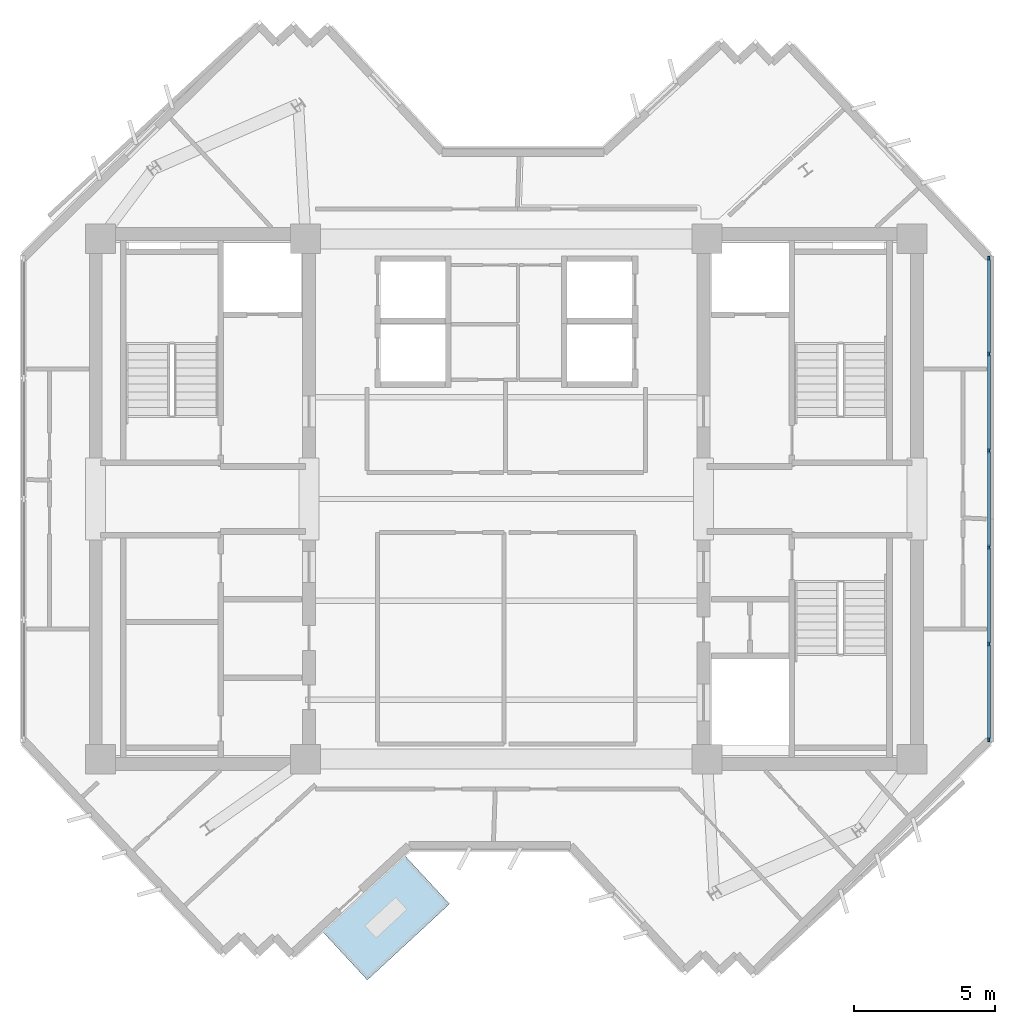
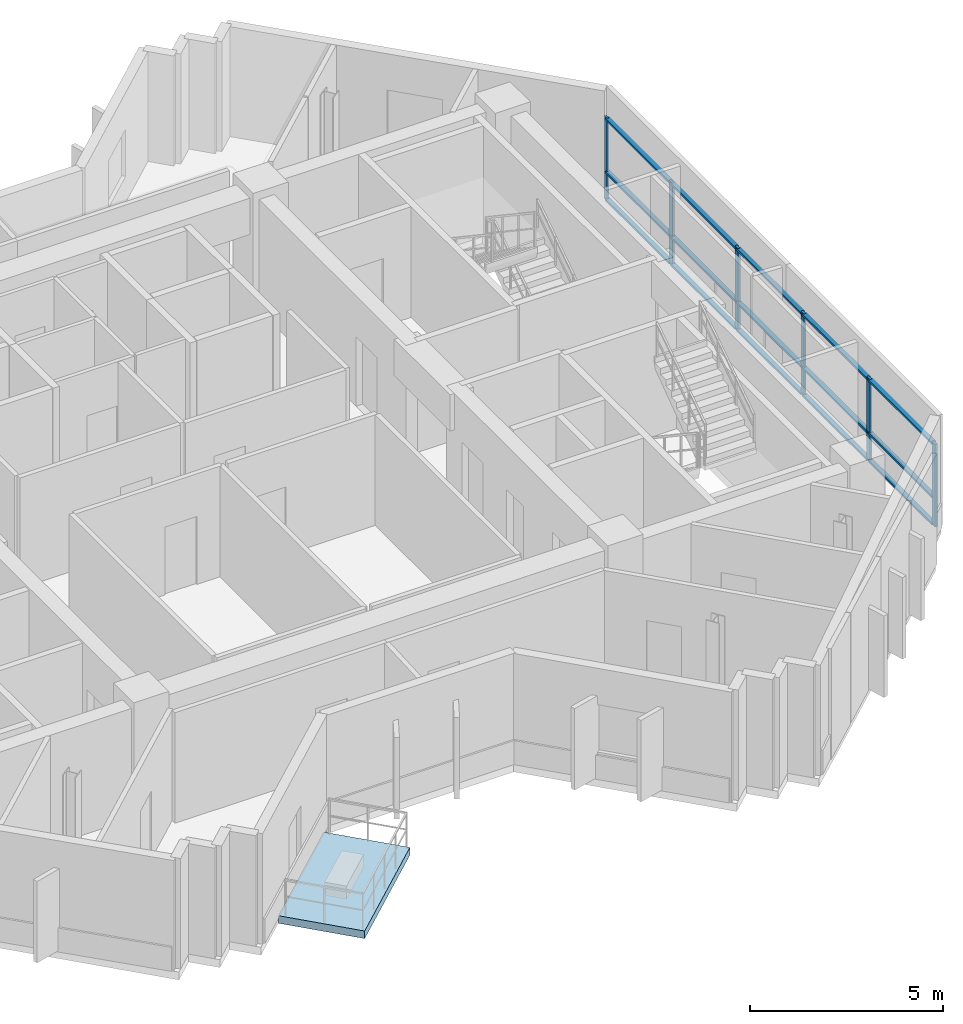
# One storey, part 2 of 9: 21 members, 1 slab, 1 element without a shape of its own.
"""IFC4 building model written with IfcOpenShell, lengths in metres."""

from ifc_helpers import new_model, si_unit, direction, frame, origin, origin_2d, place, context, subcontext, project, spatial, polyline, rectangle, outline, extrude, source, transform, mapped, material, layer, layer_set, material_profile, profile_set, type_object, element, aggregate, save


model = new_model("IFC4")

# Units and contexts
model_context = context("Model", 3, precision=1e-05, world=origin(), true_north=direction((0.0, 1.0)))
body_context = subcontext(model_context, "Body", "Model", "MODEL_VIEW")
ifc_project = project(units=[si_unit("LENGTHUNIT", "METRE"), si_unit("AREAUNIT", "SQUARE_METRE"), si_unit("VOLUMEUNIT", "CUBIC_METRE"), si_unit("PLANEANGLEUNIT", "RADIAN"), si_unit("MASSUNIT", "GRAM", prefix="KILO")], contexts=[model_context])

# Site, building, storey
site_placement = place(None, origin())
site = spatial("IfcSite", under=ifc_project, at=site_placement, CompositionType="ELEMENT")
building_placement = place(site_placement, origin())
building = spatial("IfcBuilding", under=site, at=building_placement, Name="Zahravan Cultural Tower", CompositionType="ELEMENT")
storey_placement = place(building_placement, frame((0.0, 0.0, 291.60009765625)))
storey = spatial("IfcBuildingStorey", under=building, at=storey_placement, Name="L70", CompositionType="ELEMENT", Elevation=291.60009765625)

# Curtain wall, members
ifc_material_1 = material(Name="Anodised bronze-aluminium mullion", Category="aluminium")
ifc_layer_1 = layer(ifc_material_1, 0.1650390625)
ifc_layer_set_1 = layer_set([ifc_layer_1], Name="Anodised bronze-aluminium mullion")
curtain_wall_type = type_object("IfcCurtainWallType", Name="CW-SYS-4", PredefinedType="USERDEFINED", material=ifc_layer_set_1)
curtain_wall_placement = place(storey_placement, origin())
curtain_wall = element("IfcCurtainWall", 1, at=curtain_wall_placement, inside=storey, type_object=curtain_wall_type, Name="L70 Recessed Curtain Wall CW-4.1", ObjectType="RECESSED GLAZING", PredefinedType="USERDEFINED")
ifc_material_profile_1 = material_profile(ifc_material_1, rectangle(XDim=0.06494140625, YDim=0.1650390625, at=origin_2d()), Name="AL-M65X165")
ifc_profile_set_1 = profile_set([ifc_material_profile_1], Name="Anodised bronze-aluminium mullion")
member_type_1 = type_object("IfcMemberType", Name="CWM-CW-4", PredefinedType="MULLION", material=ifc_profile_set_1)
shared_shape_1 = source(origin(), body_context, "Body", "SweptSolid", [
    extrude(rectangle(XDim=0.06494140625, YDim=0.1650390625, at=origin_2d()), origin(), (0.0, 0.0, 1.0), 2.619873046875),
])
member_1_placement = place(storey_placement, frame((53.06005859375, 35.509521484375, 0.0), z_axis=(0.0, 0.0, 1.0), x_axis=(1.0, 0.0, 0.0)))
member_1 = element("IfcMember", 2, at=member_1_placement, type_object=member_type_1, Name="CW-4 mullion 1", PredefinedType="MULLION", context=body_context, shape_type="MappedRepresentation", body=[
    mapped(shared_shape_1, transform((0.0, 0.0, 0.0), x_axis=(1.0, 0.0, 0.0), y_axis=(0.0, 1.0, 0.0), z_axis=(0.0, 0.0, 1.0), scale=1.0)),
])
member_2_placement = place(storey_placement, frame((53.06005859375, 32.125244140625, 0.0), z_axis=(0.0, 0.0, 1.0), x_axis=(1.0, 0.0, 0.0)))
member_2 = element("IfcMember", 3, at=member_2_placement, type_object=member_type_1, Name="CW-4 mullion 2", PredefinedType="MULLION", context=body_context, shape_type="MappedRepresentation", body=[
    mapped(shared_shape_1, transform((0.0, 0.0, 0.0), x_axis=(1.0, 0.0, 0.0), y_axis=(0.0, 1.0, 0.0), z_axis=(0.0, 0.0, 1.0), scale=1.0)),
])
member_3_placement = place(storey_placement, frame((53.06005859375, 28.70849609375, 0.0), z_axis=(0.0, 0.0, 1.0), x_axis=(1.0, 0.0, 0.0)))
member_3 = element("IfcMember", 4, at=member_3_placement, type_object=member_type_1, Name="CW-4 mullion 3", PredefinedType="MULLION", context=body_context, shape_type="MappedRepresentation", body=[
    mapped(shared_shape_1, transform((0.0, 0.0, 0.0), x_axis=(1.0, 0.0, 0.0), y_axis=(0.0, 1.0, 0.0), z_axis=(0.0, 0.0, 1.0), scale=1.0)),
])
member_4_placement = place(storey_placement, frame((53.06005859375, 25.29150390625, 0.0), z_axis=(0.0, 0.0, 1.0), x_axis=(1.0, 0.0, 0.0)))
member_4 = element("IfcMember", 5, at=member_4_placement, type_object=member_type_1, Name="CW-4 mullion 4", PredefinedType="MULLION", context=body_context, shape_type="MappedRepresentation", body=[
    mapped(shared_shape_1, transform((0.0, 0.0, 0.0), x_axis=(1.0, 0.0, 0.0), y_axis=(0.0, 1.0, 0.0), z_axis=(0.0, 0.0, 1.0), scale=1.0)),
])
member_5_placement = place(storey_placement, frame((53.06005859375, 21.874755859375, 0.0), z_axis=(0.0, 0.0, 1.0), x_axis=(1.0, 0.0, 0.0)))
member_5 = element("IfcMember", 6, at=member_5_placement, type_object=member_type_1, Name="CW-4 mullion 5", PredefinedType="MULLION", context=body_context, shape_type="MappedRepresentation", body=[
    mapped(shared_shape_1, transform((0.0, 0.0, 0.0), x_axis=(1.0, 0.0, 0.0), y_axis=(0.0, 1.0, 0.0), z_axis=(0.0, 0.0, 1.0), scale=1.0)),
])
member_6_placement = place(storey_placement, frame((53.06005859375, 18.490478515625, 0.0), z_axis=(0.0, 0.0, 1.0), x_axis=(1.0, 0.0, 0.0)))
member_6 = element("IfcMember", 7, at=member_6_placement, type_object=member_type_1, Name="CW-4 mullion 6", PredefinedType="MULLION", context=body_context, shape_type="MappedRepresentation", body=[
    mapped(shared_shape_1, transform((0.0, 0.0, 0.0), x_axis=(1.0, 0.0, 0.0), y_axis=(0.0, 1.0, 0.0), z_axis=(0.0, 0.0, 1.0), scale=1.0)),
])
ifc_material_profile_2 = material_profile(ifc_material_1, rectangle(XDim=0.1298828125, YDim=0.06494140625, at=origin_2d()), Name="AL-T65X130")
ifc_profile_set_2 = profile_set([ifc_material_profile_2], Name="Anodised bronze-aluminium mullion")
member_type_2 = type_object("IfcMemberType", Name="CWT-CW-4", PredefinedType="USERDEFINED", material=ifc_profile_set_2)
shared_shape_2 = source(origin(), body_context, "Body", "SweptSolid", [
    extrude(rectangle(XDim=0.1298828125, YDim=0.06494140625, at=origin_2d()), origin(), (0.0, 0.0, 1.0), 3.3193359375),
])
member_7_placement = place(storey_placement, frame((53.06005859375, 35.47705078125, 0.032470703125), z_axis=(0.0, -1.0, 0.0), x_axis=(1.0, 0.0, 0.0)))
member_7 = element("IfcMember", 8, at=member_7_placement, type_object=member_type_2, Name="CW-4 transom 1.1", ObjectType="TRANSOM", PredefinedType="USERDEFINED", context=body_context, shape_type="MappedRepresentation", body=[
    mapped(shared_shape_2, transform((0.0, 0.0, 0.0), x_axis=(1.0, 0.0, 0.0), y_axis=(0.0, 1.0, 0.0), z_axis=(0.0, 0.0, 1.0), scale=1.0)),
])
member_8_placement = place(storey_placement, frame((53.06005859375, 35.47705078125, 0.89990234375), z_axis=(0.0, -1.0, 0.0), x_axis=(1.0, 0.0, 0.0)))
member_8 = element("IfcMember", 9, at=member_8_placement, type_object=member_type_2, Name="CW-4 transom 1.2", ObjectType="TRANSOM", PredefinedType="USERDEFINED", context=body_context, shape_type="MappedRepresentation", body=[
    mapped(shared_shape_2, transform((0.0, 0.0, 0.0), x_axis=(1.0, 0.0, 0.0), y_axis=(0.0, 1.0, 0.0), z_axis=(0.0, 0.0, 1.0), scale=1.0)),
])
member_9_placement = place(storey_placement, frame((53.06005859375, 35.47705078125, 2.58740234375), z_axis=(0.0, -1.0, 0.0), x_axis=(1.0, 0.0, 0.0)))
member_9 = element("IfcMember", 10, at=member_9_placement, type_object=member_type_2, Name="CW-4 transom 1.3", ObjectType="TRANSOM", PredefinedType="USERDEFINED", context=body_context, shape_type="MappedRepresentation", body=[
    mapped(shared_shape_2, transform((0.0, 0.0, 0.0), x_axis=(1.0, 0.0, 0.0), y_axis=(0.0, 1.0, 0.0), z_axis=(0.0, 0.0, 1.0), scale=1.0)),
])
member_10_placement = place(storey_placement, frame((53.06005859375, 21.84228515625, 0.032470703125), z_axis=(0.0, -1.0, 0.0), x_axis=(1.0, 0.0, 0.0)))
member_10 = element("IfcMember", 11, at=member_10_placement, type_object=member_type_2, Name="CW-4 transom 5.1", ObjectType="TRANSOM", PredefinedType="USERDEFINED", context=body_context, shape_type="MappedRepresentation", body=[
    mapped(shared_shape_2, transform((0.0, 0.0, 0.0), x_axis=(1.0, 0.0, 0.0), y_axis=(0.0, 1.0, 0.0), z_axis=(0.0, 0.0, 1.0), scale=1.0)),
])
member_11_placement = place(storey_placement, frame((53.06005859375, 21.84228515625, 0.89990234375), z_axis=(0.0, -1.0, 0.0), x_axis=(1.0, 0.0, 0.0)))
member_11 = element("IfcMember", 12, at=member_11_placement, type_object=member_type_2, Name="CW-4 transom 5.2", ObjectType="TRANSOM", PredefinedType="USERDEFINED", context=body_context, shape_type="MappedRepresentation", body=[
    mapped(shared_shape_2, transform((0.0, 0.0, 0.0), x_axis=(1.0, 0.0, 0.0), y_axis=(0.0, 1.0, 0.0), z_axis=(0.0, 0.0, 1.0), scale=1.0)),
])
member_12_placement = place(storey_placement, frame((53.06005859375, 21.84228515625, 2.58740234375), z_axis=(0.0, -1.0, 0.0), x_axis=(1.0, 0.0, 0.0)))
member_12 = element("IfcMember", 13, at=member_12_placement, type_object=member_type_2, Name="CW-4 transom 5.3", ObjectType="TRANSOM", PredefinedType="USERDEFINED", context=body_context, shape_type="MappedRepresentation", body=[
    mapped(shared_shape_2, transform((0.0, 0.0, 0.0), x_axis=(1.0, 0.0, 0.0), y_axis=(0.0, 1.0, 0.0), z_axis=(0.0, 0.0, 1.0), scale=1.0)),
])
shared_shape_3 = source(origin(), body_context, "Body", "SweptSolid", [
    extrude(rectangle(XDim=0.1298828125, YDim=0.06494140625, at=origin_2d()), origin(), (0.0, 0.0, 1.0), 3.351806640625),
])
member_13_placement = place(storey_placement, frame((53.06005859375, 32.0927734375, 0.032470703125), z_axis=(0.0, -1.0, 0.0), x_axis=(1.0, 0.0, 0.0)))
member_13 = element("IfcMember", 14, at=member_13_placement, type_object=member_type_2, Name="CW-4 transom 2.1", ObjectType="TRANSOM", PredefinedType="USERDEFINED", context=body_context, shape_type="MappedRepresentation", body=[
    mapped(shared_shape_3, transform((0.0, 0.0, 0.0), x_axis=(1.0, 0.0, 0.0), y_axis=(0.0, 1.0, 0.0), z_axis=(0.0, 0.0, 1.0), scale=1.0)),
])
member_14_placement = place(storey_placement, frame((53.06005859375, 32.0927734375, 0.89990234375), z_axis=(0.0, -1.0, 0.0), x_axis=(1.0, 0.0, 0.0)))
member_14 = element("IfcMember", 15, at=member_14_placement, type_object=member_type_2, Name="CW-4 transom 2.2", ObjectType="TRANSOM", PredefinedType="USERDEFINED", context=body_context, shape_type="MappedRepresentation", body=[
    mapped(shared_shape_3, transform((0.0, 0.0, 0.0), x_axis=(1.0, 0.0, 0.0), y_axis=(0.0, 1.0, 0.0), z_axis=(0.0, 0.0, 1.0), scale=1.0)),
])
member_15_placement = place(storey_placement, frame((53.06005859375, 32.0927734375, 2.58740234375), z_axis=(0.0, -1.0, 0.0), x_axis=(1.0, 0.0, 0.0)))
member_15 = element("IfcMember", 16, at=member_15_placement, type_object=member_type_2, Name="CW-4 transom 2.3", ObjectType="TRANSOM", PredefinedType="USERDEFINED", context=body_context, shape_type="MappedRepresentation", body=[
    mapped(shared_shape_3, transform((0.0, 0.0, 0.0), x_axis=(1.0, 0.0, 0.0), y_axis=(0.0, 1.0, 0.0), z_axis=(0.0, 0.0, 1.0), scale=1.0)),
])
member_16_placement = place(storey_placement, frame((53.06005859375, 25.259033203125, 0.032470703125), z_axis=(0.0, -1.0, 0.0), x_axis=(1.0, 0.0, 0.0)))
member_16 = element("IfcMember", 17, at=member_16_placement, type_object=member_type_2, Name="CW-4 transom 4.1", ObjectType="TRANSOM", PredefinedType="USERDEFINED", context=body_context, shape_type="MappedRepresentation", body=[
    mapped(shared_shape_3, transform((0.0, 0.0, 0.0), x_axis=(1.0, 0.0, 0.0), y_axis=(0.0, 1.0, 0.0), z_axis=(0.0, 0.0, 1.0), scale=1.0)),
])
member_17_placement = place(storey_placement, frame((53.06005859375, 25.259033203125, 0.89990234375), z_axis=(0.0, -1.0, 0.0), x_axis=(1.0, 0.0, 0.0)))
member_17 = element("IfcMember", 18, at=member_17_placement, type_object=member_type_2, Name="CW-4 transom 4.2", ObjectType="TRANSOM", PredefinedType="USERDEFINED", context=body_context, shape_type="MappedRepresentation", body=[
    mapped(shared_shape_3, transform((0.0, 0.0, 0.0), x_axis=(1.0, 0.0, 0.0), y_axis=(0.0, 1.0, 0.0), z_axis=(0.0, 0.0, 1.0), scale=1.0)),
])
member_18_placement = place(storey_placement, frame((53.06005859375, 25.259033203125, 2.58740234375), z_axis=(0.0, -1.0, 0.0), x_axis=(1.0, 0.0, 0.0)))
member_18 = element("IfcMember", 19, at=member_18_placement, type_object=member_type_2, Name="CW-4 transom 4.3", ObjectType="TRANSOM", PredefinedType="USERDEFINED", context=body_context, shape_type="MappedRepresentation", body=[
    mapped(shared_shape_3, transform((0.0, 0.0, 0.0), x_axis=(1.0, 0.0, 0.0), y_axis=(0.0, 1.0, 0.0), z_axis=(0.0, 0.0, 1.0), scale=1.0)),
])
shared_shape_4 = source(origin(), body_context, "Body", "SweptSolid", [
    extrude(rectangle(XDim=0.1298828125, YDim=0.06494140625, at=origin_2d()), origin(), (0.0, 0.0, 1.0), 3.3515625),
])
member_19_placement = place(storey_placement, frame((53.06005859375, 28.67578125, 0.032470703125), z_axis=(0.0, -1.0, 0.0), x_axis=(1.0, 0.0, 0.0)))
member_19 = element("IfcMember", 20, at=member_19_placement, type_object=member_type_2, Name="CW-4 transom 3.1", ObjectType="TRANSOM", PredefinedType="USERDEFINED", context=body_context, shape_type="MappedRepresentation", body=[
    mapped(shared_shape_4, transform((0.0, 0.0, 0.0), x_axis=(1.0, 0.0, 0.0), y_axis=(0.0, 1.0, 0.0), z_axis=(0.0, 0.0, 1.0), scale=1.0)),
])
member_20_placement = place(storey_placement, frame((53.06005859375, 28.67578125, 0.89990234375), z_axis=(0.0, -1.0, 0.0), x_axis=(1.0, 0.0, 0.0)))
member_20 = element("IfcMember", 21, at=member_20_placement, type_object=member_type_2, Name="CW-4 transom 3.2", ObjectType="TRANSOM", PredefinedType="USERDEFINED", context=body_context, shape_type="MappedRepresentation", body=[
    mapped(shared_shape_4, transform((0.0, 0.0, 0.0), x_axis=(1.0, 0.0, 0.0), y_axis=(0.0, 1.0, 0.0), z_axis=(0.0, 0.0, 1.0), scale=1.0)),
])
member_21_placement = place(storey_placement, frame((53.06005859375, 28.67578125, 2.58740234375), z_axis=(0.0, -1.0, 0.0), x_axis=(1.0, 0.0, 0.0)))
member_21 = element("IfcMember", 22, at=member_21_placement, type_object=member_type_2, Name="CW-4 transom 3.3", ObjectType="TRANSOM", PredefinedType="USERDEFINED", context=body_context, shape_type="MappedRepresentation", body=[
    mapped(shared_shape_4, transform((0.0, 0.0, 0.0), x_axis=(1.0, 0.0, 0.0), y_axis=(0.0, 1.0, 0.0), z_axis=(0.0, 0.0, 1.0), scale=1.0)),
])
aggregate(curtain_wall, [member_1, member_2, member_3, member_4, member_5, member_6, member_7, member_8, member_9, member_13, member_14, member_15, member_19, member_20, member_21, member_16, member_17, member_18, member_10, member_11, member_12])

# Slab
ifc_material_2 = material(Name="Concrete C40/50", Category="concrete")
ifc_layer_2 = layer(ifc_material_2, 0.239990234375)
ifc_layer_set_2 = layer_set([ifc_layer_2], Name="Concrete C40/50")
slab_type = type_object("IfcSlabType", Name="SL-TERR-240", PredefinedType="FLOOR", material=ifc_layer_set_2)
slab_placement = place(storey_placement, frame((0.0, 0.0, -0.239990234375)))
element("IfcSlab", 23, at=slab_placement, inside=storey, type_object=slab_type, Name="L70 Planted Sculpture Terrace SW", PredefinedType="FLOOR", context=body_context, shape_type="SweptSolid", body=[
    extrude(outline(polyline([(33.99072265625, 12.677734375), (32.3984375, 14.3994140625), (29.491455078125, 11.71044921875), (31.083740234375, 9.989013671875), (33.99072265625, 12.677734375)])), origin(), (0.0, 0.0, 1.0), 0.239990234375),
])

save(model, "model.ifc")
